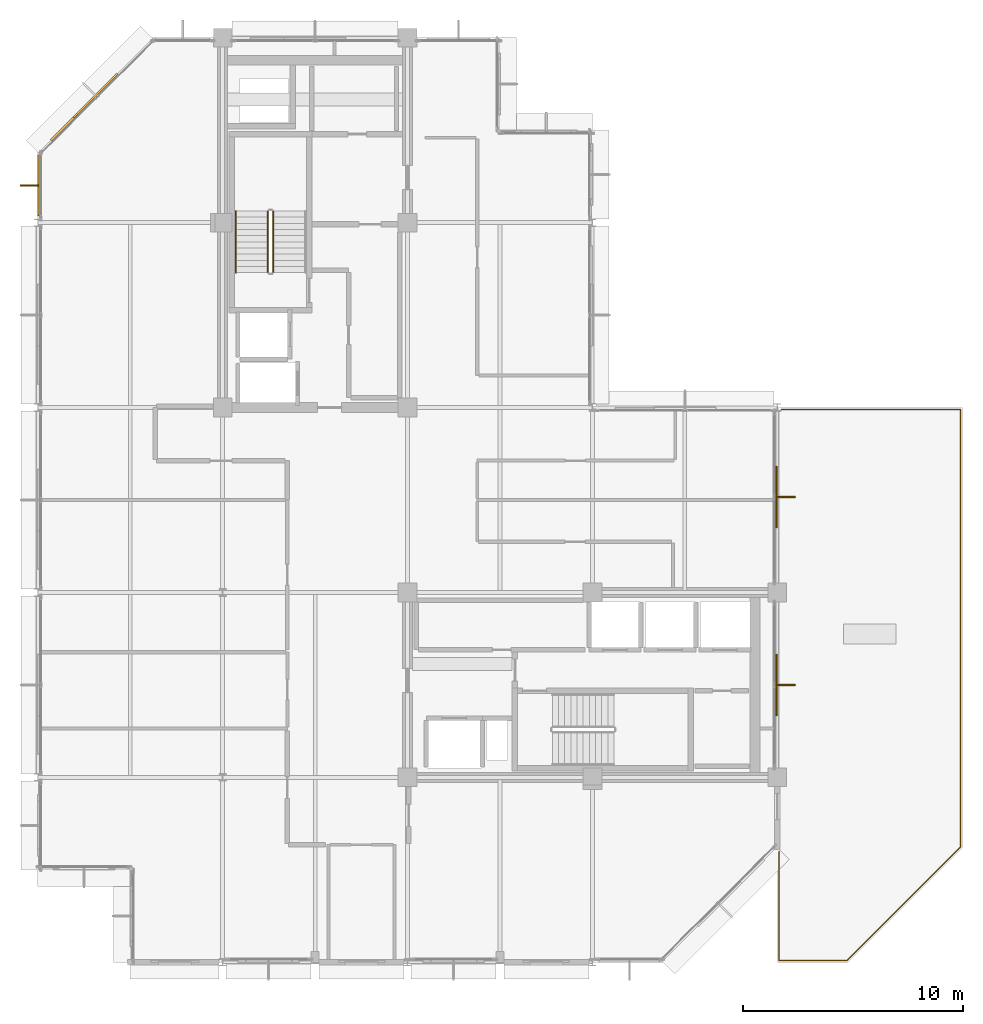
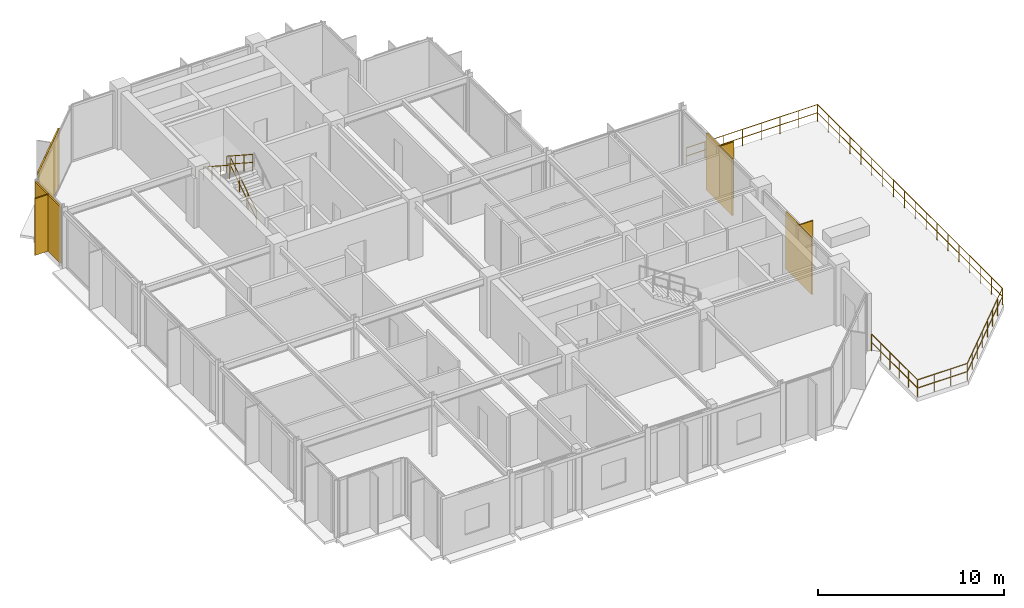
# One storey, part 22 of 23: 8 railings, 7 shading devices, 1 covering.
"""IFC4 building model written with IfcOpenShell, lengths in metres."""

from ifc_helpers import new_model, si_unit, direction, frame, origin, origin_2d, place, context, subcontext, project, spatial, rectangle, circle, extrude, material, layer, layer_set, type_object, element, save


model = new_model("IFC4")

# Units and contexts
model_context = context("Model", 3, precision=1e-05, world=origin(), true_north=direction((0.0, 1.0)))
body_context = subcontext(model_context, "Body", "Model", "MODEL_VIEW")
ifc_project = project(units=[si_unit("LENGTHUNIT", "METRE"), si_unit("AREAUNIT", "SQUARE_METRE"), si_unit("VOLUMEUNIT", "CUBIC_METRE"), si_unit("PLANEANGLEUNIT", "RADIAN"), si_unit("MASSUNIT", "GRAM", prefix="KILO")], contexts=[model_context])

# Site, building, storey
site_placement = place(None, origin())
site = spatial("IfcSite", under=ifc_project, at=site_placement, CompositionType="ELEMENT")
building_placement = place(site_placement, origin())
building = spatial("IfcBuilding", under=site, at=building_placement, Name="Nerrivon Quay Data Exchange", CompositionType="ELEMENT")
storey_placement = place(building_placement, frame((0.0, 0.0, 286.199951171875)))
storey = spatial("IfcBuildingStorey", under=building, at=storey_placement, Name="L68", CompositionType="ELEMENT", Elevation=286.199951171875)

# Covering
ifc_material_1 = material(Name="Architectural terracotta ceramic", Category="masonry")
ifc_layer_1 = layer(ifc_material_1, 0.090087890625)
ifc_layer_set_1 = layer_set([ifc_layer_1], Name="Architectural terracotta ceramic")
covering_type = type_object("IfcCoveringType", Name="COV-SCR-TERR", PredefinedType="CLADDING", material=ifc_layer_set_1)
covering_placement = place(storey_placement, frame((2.0078125, 38.744140625, 0.0), z_axis=(0.0, 0.0, 1.0), x_axis=(0.707106781187, 0.707106781187, 0.0)))
element("IfcCovering", 1, at=covering_placement, inside=storey, type_object=covering_type, Name="L68 Perforated Terracotta SOLAR SCREEN Cassette", PredefinedType="CLADDING", context=body_context, shape_type="SweptSolid", body=[
    extrude(rectangle(XDim=3.970947265625, YDim=0.090087890625, at=origin_2d()), origin(), (0.0, 0.0, 1.0), 3.72509765625),
])

# Railings
ifc_material_2 = material(Name="Steel Grade C350L0 (350 MPa)", Category="steel")
railing_type_1 = type_object("IfcRailingType", Name="RAIL-GUARD-GR2", PredefinedType="BALUSTRADE", material=ifc_material_2)
railing_1_placement = place(storey_placement, frame((41.919921875, 25.1201171875, 0.0)))
element("IfcRailing", 2, at=railing_1_placement, inside=storey, type_object=railing_type_1, Name="L68 Terrace Perimeter Guard 1.1 1", PredefinedType="BALUSTRADE", context=body_context, shape_type="SweptSolid", body=[
    extrude(circle(Radius=0.02392578125, at=origin_2d()), frame((0.0, 0.0, 1.09619140625), z_axis=(0.0, -1.0, 0.0), x_axis=(1.0, 0.0, 0.0)), (0.0, 0.0, 1.0), 19.886962890625),
    extrude(circle(Radius=0.02392578125, at=origin_2d()), frame((0.0, 0.0, 0.56005859375), z_axis=(0.0, -1.0, 0.0), x_axis=(1.0, 0.0, 0.0)), (0.0, 0.0, 1.0), 19.886962890625),
    extrude(circle(Radius=0.02099609375, at=origin_2d()), origin(), (0.0, 0.0, 1.0), 1.072021484375),
    extrude(circle(Radius=0.02099609375, at=origin_2d()), frame((0.0, -1.169921875, 0.0)), (0.0, 0.0, 1.0), 1.072021484375),
    extrude(circle(Radius=0.02099609375, at=origin_2d()), frame((0.0, -2.339599609375, 0.0)), (0.0, 0.0, 1.0), 1.072021484375),
    extrude(circle(Radius=0.02099609375, at=origin_2d()), frame((0.0, -3.509521484375, 0.0)), (0.0, 0.0, 1.0), 1.072021484375),
    extrude(circle(Radius=0.02099609375, at=origin_2d()), frame((0.0, -4.67919921875, 0.0)), (0.0, 0.0, 1.0), 1.072021484375),
    extrude(circle(Radius=0.02099609375, at=origin_2d()), frame((0.0, -5.84912109375, 0.0)), (0.0, 0.0, 1.0), 1.072021484375),
    extrude(circle(Radius=0.02099609375, at=origin_2d()), frame((0.0, -7.01904296875, 0.0)), (0.0, 0.0, 1.0), 1.072021484375),
    extrude(circle(Radius=0.02099609375, at=origin_2d()), frame((0.0, -8.188720703125, 0.0)), (0.0, 0.0, 1.0), 1.072021484375),
    extrude(circle(Radius=0.02099609375, at=origin_2d()), frame((0.0, -9.358642578125, 0.0)), (0.0, 0.0, 1.0), 1.072021484375),
    extrude(circle(Radius=0.02099609375, at=origin_2d()), frame((0.0, -10.5283203125, 0.0)), (0.0, 0.0, 1.0), 1.072021484375),
    extrude(circle(Radius=0.02099609375, at=origin_2d()), frame((0.0, -11.6982421875, 0.0)), (0.0, 0.0, 1.0), 1.072021484375),
    extrude(circle(Radius=0.02099609375, at=origin_2d()), frame((0.0, -12.867919921875, 0.0)), (0.0, 0.0, 1.0), 1.072021484375),
    extrude(circle(Radius=0.02099609375, at=origin_2d()), frame((0.0, -14.037841796875, 0.0)), (0.0, 0.0, 1.0), 1.072021484375),
    extrude(circle(Radius=0.02099609375, at=origin_2d()), frame((0.0, -15.207763671875, 0.0)), (0.0, 0.0, 1.0), 1.072021484375),
    extrude(circle(Radius=0.02099609375, at=origin_2d()), frame((0.0, -16.37744140625, 0.0)), (0.0, 0.0, 1.0), 1.072021484375),
    extrude(circle(Radius=0.02099609375, at=origin_2d()), frame((0.0, -17.54736328125, 0.0)), (0.0, 0.0, 1.0), 1.072021484375),
    extrude(circle(Radius=0.02099609375, at=origin_2d()), frame((0.0, -18.717041015625, 0.0)), (0.0, 0.0, 1.0), 1.072021484375),
    extrude(circle(Radius=0.02099609375, at=origin_2d()), frame((0.0, -19.886962890625, 0.0)), (0.0, 0.0, 1.0), 1.072021484375),
])
railing_2_placement = place(storey_placement, frame((41.919921875, 5.233154296875, 0.0)))
element("IfcRailing", 3, at=railing_2_placement, inside=storey, type_object=railing_type_1, Name="L68 Terrace Perimeter Guard 1.2 1", PredefinedType="BALUSTRADE", context=body_context, shape_type="SweptSolid", body=[
    extrude(circle(Radius=0.02392578125, at=origin_2d()), frame((0.0, 0.0, 1.09619140625), z_axis=(-0.707106781187, -0.707106781187, 0.0), x_axis=(0.707106781187, -0.707106781187, 0.0)), (0.0, 0.0, 1.0), 7.28759765625),
    extrude(circle(Radius=0.02392578125, at=origin_2d()), frame((0.0, 0.0, 0.56005859375), z_axis=(-0.707106781187, -0.707106781187, 0.0), x_axis=(0.707106781187, -0.707106781187, 0.0)), (0.0, 0.0, 1.0), 7.28759765625),
    extrude(circle(Radius=0.02099609375, at=origin_2d()), origin(), (0.0, 0.0, 1.0), 1.072021484375),
    extrude(circle(Radius=0.02099609375, at=origin_2d()), frame((-0.736083984375, -0.736083984375, 0.0)), (0.0, 0.0, 1.0), 1.072021484375),
    extrude(circle(Radius=0.02099609375, at=origin_2d()), frame((-1.472412109375, -1.472412109375, 0.0)), (0.0, 0.0, 1.0), 1.072021484375),
    extrude(circle(Radius=0.02099609375, at=origin_2d()), frame((-2.20849609375, -2.20849609375, 0.0)), (0.0, 0.0, 1.0), 1.072021484375),
    extrude(circle(Radius=0.02099609375, at=origin_2d()), frame((-2.944580078125, -2.944580078125, 0.0)), (0.0, 0.0, 1.0), 1.072021484375),
    extrude(circle(Radius=0.02099609375, at=origin_2d()), frame((-3.6806640625, -3.6806640625, 0.0)), (0.0, 0.0, 1.0), 1.072021484375),
    extrude(circle(Radius=0.02099609375, at=origin_2d()), frame((-4.4169921875, -4.4169921875, 0.0)), (0.0, 0.0, 1.0), 1.072021484375),
    extrude(circle(Radius=0.02099609375, at=origin_2d()), frame((-5.153076171875, -5.153076171875, 0.0)), (0.0, 0.0, 1.0), 1.072021484375),
])
railing_3_placement = place(storey_placement, frame((36.766845703125, 0.080078125, 0.0)))
element("IfcRailing", 4, at=railing_3_placement, inside=storey, type_object=railing_type_1, Name="L68 Terrace Perimeter Guard 1.3 1", PredefinedType="BALUSTRADE", context=body_context, shape_type="SweptSolid", body=[
    extrude(circle(Radius=0.02392578125, at=origin_2d()), frame((0.0, 0.0, 1.09619140625), z_axis=(-1.0, 0.0, 0.0), x_axis=(0.0, -1.0, 0.0)), (0.0, 0.0, 1.0), 3.0869140625),
    extrude(circle(Radius=0.02392578125, at=origin_2d()), frame((0.0, 0.0, 0.56005859375), z_axis=(-1.0, 0.0, 0.0), x_axis=(0.0, -1.0, 0.0)), (0.0, 0.0, 1.0), 3.0869140625),
    extrude(circle(Radius=0.02099609375, at=origin_2d()), origin(), (0.0, 0.0, 1.0), 1.072021484375),
    extrude(circle(Radius=0.02099609375, at=origin_2d()), frame((-1.029052734375, 0.0, 0.0)), (0.0, 0.0, 1.0), 1.072021484375),
    extrude(circle(Radius=0.02099609375, at=origin_2d()), frame((-2.057861328125, 0.0, 0.0)), (0.0, 0.0, 1.0), 1.072021484375),
    extrude(circle(Radius=0.02099609375, at=origin_2d()), frame((-3.0869140625, 0.0, 0.0)), (0.0, 0.0, 1.0), 1.072021484375),
])
railing_4_placement = place(storey_placement, frame((33.679931640625, 0.080078125, 0.0)))
element("IfcRailing", 5, at=railing_4_placement, inside=storey, type_object=railing_type_1, Name="L68 Terrace Perimeter Guard 1.4 1", PredefinedType="BALUSTRADE", context=body_context, shape_type="SweptSolid", body=[
    extrude(circle(Radius=0.02392578125, at=origin_2d()), frame((0.0, 0.0, 1.09619140625), z_axis=(0.0, 1.0, 0.0), x_axis=(-1.0, 0.0, 0.0)), (0.0, 0.0, 1.0), 4.9453125),
    extrude(circle(Radius=0.02392578125, at=origin_2d()), frame((0.0, 0.0, 0.56005859375), z_axis=(0.0, 1.0, 0.0), x_axis=(-1.0, 0.0, 0.0)), (0.0, 0.0, 1.0), 4.9453125),
    extrude(circle(Radius=0.02099609375, at=origin_2d()), origin(), (0.0, 0.0, 1.0), 1.072021484375),
    extrude(circle(Radius=0.02099609375, at=origin_2d()), frame((0.0, 0.989013671875, 0.0)), (0.0, 0.0, 1.0), 1.072021484375),
    extrude(circle(Radius=0.02099609375, at=origin_2d()), frame((0.0, 1.97802734375, 0.0)), (0.0, 0.0, 1.0), 1.072021484375),
    extrude(circle(Radius=0.02099609375, at=origin_2d()), frame((0.0, 2.96728515625, 0.0)), (0.0, 0.0, 1.0), 1.072021484375),
    extrude(circle(Radius=0.02099609375, at=origin_2d()), frame((0.0, 3.956298828125, 0.0)), (0.0, 0.0, 1.0), 1.072021484375),
    extrude(circle(Radius=0.02099609375, at=origin_2d()), frame((0.0, 4.9453125, 0.0)), (0.0, 0.0, 1.0), 1.072021484375),
])
railing_5_placement = place(storey_placement, frame((33.780029296875, 25.1201171875, 0.0)))
element("IfcRailing", 6, at=railing_5_placement, inside=storey, type_object=railing_type_1, Name="L68 Terrace Perimeter Guard 1.5 1", PredefinedType="BALUSTRADE", context=body_context, shape_type="SweptSolid", body=[
    extrude(circle(Radius=0.02392578125, at=origin_2d()), frame((0.0, 0.0, 1.09619140625), z_axis=(1.0, 0.0, 0.0), x_axis=(0.0, 1.0, 0.0)), (0.0, 0.0, 1.0), 8.139892578125),
    extrude(circle(Radius=0.02392578125, at=origin_2d()), frame((0.0, 0.0, 0.56005859375), z_axis=(1.0, 0.0, 0.0), x_axis=(0.0, 1.0, 0.0)), (0.0, 0.0, 1.0), 8.139892578125),
    extrude(circle(Radius=0.02099609375, at=origin_2d()), origin(), (0.0, 0.0, 1.0), 1.072021484375),
    extrude(circle(Radius=0.02099609375, at=origin_2d()), frame((1.162841796875, 0.0, 0.0)), (0.0, 0.0, 1.0), 1.072021484375),
    extrude(circle(Radius=0.02099609375, at=origin_2d()), frame((2.32568359375, 0.0, 0.0)), (0.0, 0.0, 1.0), 1.072021484375),
    extrude(circle(Radius=0.02099609375, at=origin_2d()), frame((3.488525390625, 0.0, 0.0)), (0.0, 0.0, 1.0), 1.072021484375),
    extrude(circle(Radius=0.02099609375, at=origin_2d()), frame((4.6513671875, 0.0, 0.0)), (0.0, 0.0, 1.0), 1.072021484375),
    extrude(circle(Radius=0.02099609375, at=origin_2d()), frame((5.814208984375, 0.0, 0.0)), (0.0, 0.0, 1.0), 1.072021484375),
    extrude(circle(Radius=0.02099609375, at=origin_2d()), frame((6.97705078125, 0.0, 0.0)), (0.0, 0.0, 1.0), 1.072021484375),
    extrude(circle(Radius=0.02099609375, at=origin_2d()), frame((8.139892578125, 0.0, 0.0)), (0.0, 0.0, 1.0), 1.072021484375),
])
railing_type_2 = type_object("IfcRailingType", Name="RAIL-HAND-HR1", PredefinedType="HANDRAIL", material=ifc_material_2)
railing_6_placement = place(storey_placement, frame((9.0, 34.1298828125, 2.181884765625)))
element("IfcRailing", 7, at=railing_6_placement, inside=storey, type_object=railing_type_2, Name="L68 ST01 stair handrail 2", PredefinedType="HANDRAIL", context=body_context, shape_type="SweptSolid", body=[
    extrude(circle(Radius=0.02392578125, at=origin_2d()), frame((0.0, 0.0, 0.8759765625), z_axis=(0.0, -0.83868413941, 0.544618136222), x_axis=(1.0, 0.0, 0.0)), (0.0, 0.0, 1.0), 3.33837890625),
    extrude(circle(Radius=0.02099609375, at=origin_2d()), origin(), (0.0, 0.0, 1.0), 0.851806640625),
    extrude(circle(Radius=0.02099609375, at=origin_2d()), frame((0.0, -0.933349609375, 0.60595703125)), (0.0, 0.0, 1.0), 0.851806640625),
    extrude(circle(Radius=0.02099609375, at=origin_2d()), frame((0.0, -1.866455078125, 1.212158203125)), (0.0, 0.0, 1.0), 0.851806640625),
    extrude(circle(Radius=0.02099609375, at=origin_2d()), frame((0.0, -2.7998046875, 1.818115234375)), (0.0, 0.0, 1.0), 0.851806640625),
])
railing_type_3 = type_object("IfcRailingType", Name="RAIL-STAIR-GR1", PredefinedType="BALUSTRADE", material=ifc_material_2)
railing_7_placement = place(storey_placement, frame((10.699951171875, 31.330078125, 0.181884765625)))
element("IfcRailing", 8, at=railing_7_placement, inside=storey, type_object=railing_type_3, Name="L68 ST01 stair guard 1", PredefinedType="BALUSTRADE", context=body_context, shape_type="SweptSolid", body=[
    extrude(circle(Radius=0.02392578125, at=origin_2d()), frame((0.0, 0.0, 1.076171875), z_axis=(0.0, 0.83868413941, 0.544618136222), x_axis=(-1.0, 0.0, 0.0)), (0.0, 0.0, 1.0), 3.33837890625),
    extrude(circle(Radius=0.02392578125, at=origin_2d()), frame((0.0, 0.0, 0.550048828125), z_axis=(0.0, 0.83868413941, 0.544618136222), x_axis=(-1.0, 0.0, 0.0)), (0.0, 0.0, 1.0), 3.33837890625),
    extrude(circle(Radius=0.02099609375, at=origin_2d()), origin(), (0.0, 0.0, 1.0), 1.052001953125),
    extrude(circle(Radius=0.02099609375, at=origin_2d()), frame((0.0, 0.933349609375, 0.60595703125)), (0.0, 0.0, 1.0), 1.052001953125),
    extrude(circle(Radius=0.02099609375, at=origin_2d()), frame((0.0, 1.866455078125, 1.212158203125)), (0.0, 0.0, 1.0), 1.052001953125),
    extrude(circle(Radius=0.02099609375, at=origin_2d()), frame((0.0, 2.7998046875, 1.818115234375)), (0.0, 0.0, 1.0), 1.052001953125),
])
railing_8_placement = place(storey_placement, frame((10.449951171875, 34.1298828125, 2.181884765625)))
element("IfcRailing", 9, at=railing_8_placement, inside=storey, type_object=railing_type_3, Name="L68 ST01 stair guard 3", PredefinedType="BALUSTRADE", context=body_context, shape_type="SweptSolid", body=[
    extrude(circle(Radius=0.02392578125, at=origin_2d()), frame((0.0, 0.0, 1.076171875), z_axis=(0.0, -0.83868413941, 0.544618136222), x_axis=(1.0, 0.0, 0.0)), (0.0, 0.0, 1.0), 3.33837890625),
    extrude(circle(Radius=0.02392578125, at=origin_2d()), frame((0.0, 0.0, 0.550048828125), z_axis=(0.0, -0.83868413941, 0.544618136222), x_axis=(1.0, 0.0, 0.0)), (0.0, 0.0, 1.0), 3.33837890625),
    extrude(circle(Radius=0.02099609375, at=origin_2d()), origin(), (0.0, 0.0, 1.0), 1.052001953125),
    extrude(circle(Radius=0.02099609375, at=origin_2d()), frame((0.0, -0.933349609375, 0.60595703125)), (0.0, 0.0, 1.0), 1.052001953125),
    extrude(circle(Radius=0.02099609375, at=origin_2d()), frame((0.0, -1.866455078125, 1.212158203125)), (0.0, 0.0, 1.0), 1.052001953125),
    extrude(circle(Radius=0.02099609375, at=origin_2d()), frame((0.0, -2.7998046875, 1.818115234375)), (0.0, 0.0, 1.0), 1.052001953125),
])

# Shading devices
ifc_layer_2 = layer(ifc_material_1, 0.074951171875)
ifc_layer_set_2 = layer_set([ifc_layer_2], Name="Architectural terracotta ceramic")
shading_device_type_1 = type_object("IfcShadingDeviceType", Name="SHD-FIN-SS02", PredefinedType="USERDEFINED", material=ifc_layer_set_2)
for number, where, z_axis, x_axis, name in (
    (10, (-0.3798828125, 35.28173828125, 0.0), (0.0, 0.0, 1.0), (0.0, 1.0, 0.0), "L68 Subtropical Solar Fin Blade 14"),
    (11, (33.97998046875, 21.130615234375, 0.0), (0.0, 0.0, 1.0), (0.0, -1.0, 0.0), "L68 Subtropical Solar Fin Blade 24"),
    (12, (33.97998046875, 12.60009765625, 0.0), (0.0, 0.0, 1.0), (0.0, -1.0, 0.0), "L68 Subtropical Solar Fin Blade 25"),
):
    element("IfcShadingDevice", number, at=place(storey_placement, frame(where, z_axis=z_axis, x_axis=x_axis)), inside=storey, type_object=shading_device_type_1, Name=name, ObjectType="FIN", PredefinedType="USERDEFINED", context=body_context, shape_type="SweptSolid", body=[
        extrude(rectangle(XDim=0.074951171875, YDim=0.85009765625, at=origin_2d()), origin(), (0.0, 0.0, 1.0), 3.72509765625),
    ])
ifc_layer_3 = layer(ifc_material_1, 0.0849609375)
ifc_layer_set_3 = layer_set([ifc_layer_3], Name="Architectural terracotta ceramic")
shading_device_type_2 = type_object("IfcShadingDeviceType", Name="SHD-SCR-SS01", PredefinedType="USERDEFINED", material=ifc_layer_set_3)
shading_device_placement = place(storey_placement, frame((0.0400390625, 35.28173828125, 0.0), z_axis=(0.0, 0.0, 1.0), x_axis=(0.0, 1.0, 0.0)))
element("IfcShadingDevice", 13, at=shading_device_placement, inside=storey, type_object=shading_device_type_2, Name="L68 Perforated Terracotta Solar Screen 14", ObjectType="SCREEN", PredefinedType="USERDEFINED", context=body_context, shape_type="SweptSolid", body=[
    extrude(rectangle(XDim=2.736572265625, YDim=0.0849609375, at=origin_2d()), origin(), (0.0, 0.0, 1.0), 3.72509765625),
])
for number, where, z_axis, x_axis, name in (
    (14, (2.62841796875, 39.37158203125, 0.0), (0.0, 0.0, 1.0), (0.707106781187, 0.707106781187, 0.0), "L68 Perforated Terracotta Solar Screen 15"),
    (15, (33.56005859375, 21.130615234375, 0.0), (0.0, 0.0, 1.0), (0.0, -1.0, 0.0), "L68 Perforated Terracotta Solar Screen 24"),
    (16, (33.56005859375, 12.60009765625, 0.0), (0.0, 0.0, 1.0), (0.0, -1.0, 0.0), "L68 Perforated Terracotta Solar Screen 25"),
):
    element("IfcShadingDevice", number, at=place(storey_placement, frame(where, z_axis=z_axis, x_axis=x_axis)), inside=storey, type_object=shading_device_type_2, Name=name, ObjectType="SCREEN", PredefinedType="USERDEFINED", context=body_context, shape_type="SweptSolid", body=[
        extrude(rectangle(XDim=2.800048828125, YDim=0.0849609375, at=origin_2d()), origin(), (0.0, 0.0, 1.0), 3.72509765625),
    ])

save(model, "model.ifc")
